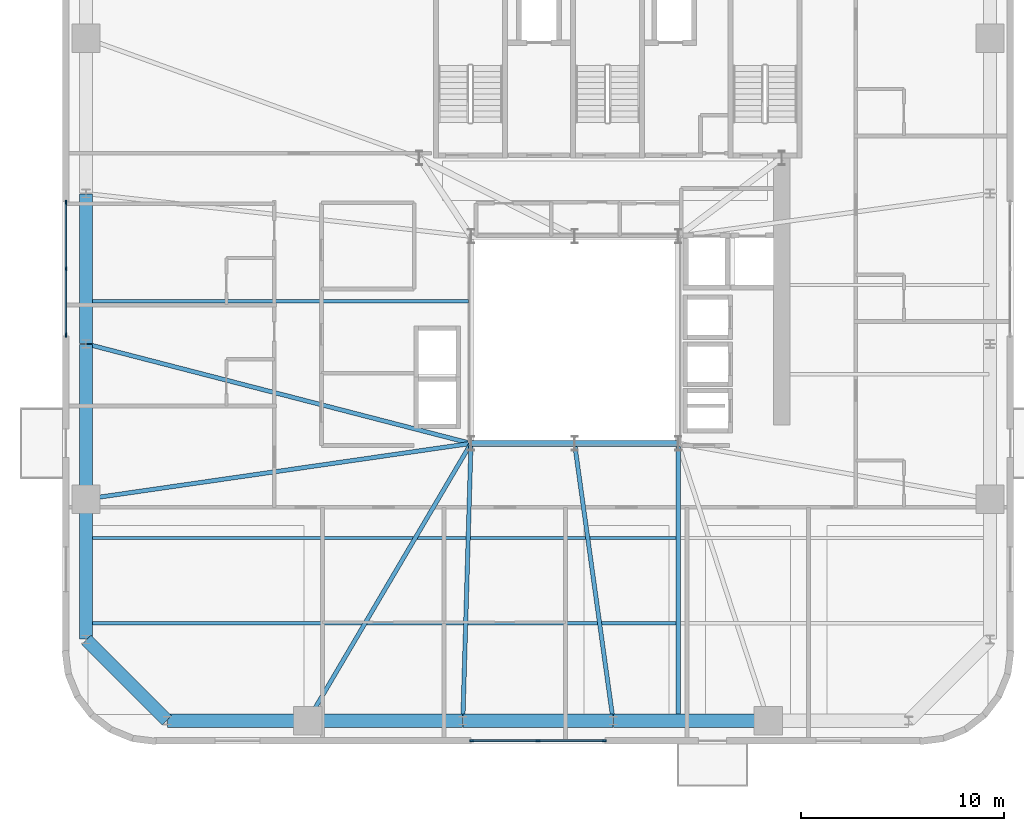
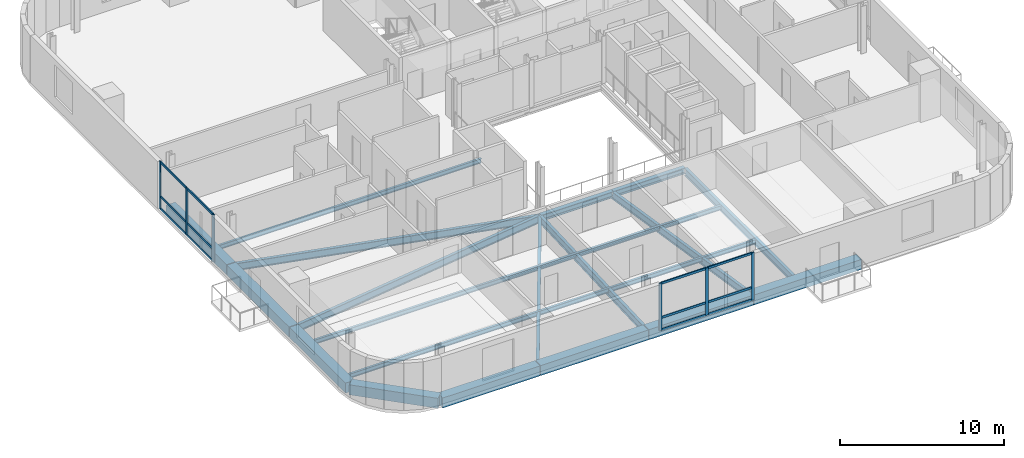
# One storey, part 3 of 15: 19 beams, 18 members, 2 elements without a shape of their own.
"""IFC4 building model written with IfcOpenShell, lengths in metres."""

from ifc_helpers import new_model, si_unit, direction, frame, origin, origin_2d, place, context, subcontext, project, spatial, rectangle, i_section, extrude, source, transform, mapped, material, material_profile, profile_set, type_object, element, aggregate, save


model = new_model("IFC4")

# Units and contexts
model_context = context("Model", 3, precision=1e-05, world=origin(), true_north=direction((0.0, 1.0)))
body_context = subcontext(model_context, "Body", "Model", "MODEL_VIEW")
ifc_project = project(units=[si_unit("LENGTHUNIT", "METRE"), si_unit("AREAUNIT", "SQUARE_METRE"), si_unit("VOLUMEUNIT", "CUBIC_METRE"), si_unit("PLANEANGLEUNIT", "RADIAN"), si_unit("MASSUNIT", "GRAM", prefix="KILO")], contexts=[model_context])

# Site, building, storey
site_placement = place(None, origin())
site = spatial("IfcSite", under=ifc_project, at=site_placement, CompositionType="ELEMENT")
building_placement = place(site_placement, origin())
building = spatial("IfcBuilding", under=site, at=building_placement, Name="Vardaveli Station Tower", CompositionType="ELEMENT")
storey_placement = place(building_placement, frame((0.0, 0.0, 207.300048828125)))
storey = spatial("IfcBuildingStorey", under=building, at=storey_placement, Name="L53", CompositionType="ELEMENT", Elevation=207.300048828125)

# Beams
ifc_material_1 = material(Name="Structural steel S355J2", Category="steel")
ifc_material_profile_1 = material_profile(ifc_material_1, i_section(OverallWidth=0.300048828125, OverallDepth=0.449951171875, WebThickness=0.013916015625, FlangeThickness=0.02587890625, FilletRadius=0.027099609375, at=origin_2d()), Name="HEB 450")
ifc_profile_set_1 = profile_set([ifc_material_profile_1], Name="Structural steel S355J2")
beam_type_1 = type_object("IfcBeamType", Name="BM-HEB450", PredefinedType="BEAM", material=ifc_profile_set_1)
shared_shape_1 = source(origin(), body_context, "Body", "SweptSolid", [
    extrude(i_section(OverallWidth=0.300048828125, OverallDepth=0.449951171875, WebThickness=0.013916015625, FlangeThickness=0.02587890625, FilletRadius=0.027099609375, at=origin_2d()), origin(), (0.0, 0.0, 1.0), 5.06005859375),
])
beam_1_placement = place(storey_placement, frame((31.219970703125, 16.60009765625, -0.445068359375), z_axis=(1.0, 0.0, 0.0), x_axis=(0.0, 1.0, 0.0)))
element("IfcBeam", 1, at=beam_1_placement, inside=storey, type_object=beam_type_1, Name="ABM-L53-01", PredefinedType="BEAM", context=body_context, shape_type="MappedRepresentation", body=[
    mapped(shared_shape_1, transform((0.0, 0.0, 0.0), scale=1.0)),
])
shared_shape_2 = source(origin(), body_context, "Body", "SweptSolid", [
    extrude(i_section(OverallWidth=0.300048828125, OverallDepth=0.449951171875, WebThickness=0.013916015625, FlangeThickness=0.02587890625, FilletRadius=0.027099609375, at=origin_2d()), origin(), (0.0, 0.0, 1.0), 5.059814453125),
])
beam_2_placement = place(storey_placement, frame((36.320068359375, 16.60009765625, -0.445068359375), z_axis=(1.0, 0.0, 0.0), x_axis=(0.0, 1.0, 0.0)))
element("IfcBeam", 2, at=beam_2_placement, inside=storey, type_object=beam_type_1, Name="ABM-L53-02", PredefinedType="BEAM", context=body_context, shape_type="MappedRepresentation", body=[
    mapped(shared_shape_2, transform((0.0, 0.0, 0.0), scale=1.0)),
])
ifc_material_2 = material(Name="Precast concrete C45/55", Category="concrete")
ifc_material_profile_2 = material_profile(ifc_material_2, rectangle(XDim=0.64990234375, YDim=0.75, at=origin_2d()), Name="LPB 650x750")
ifc_profile_set_2 = profile_set([ifc_material_profile_2], Name="Precast concrete C45/55")
beam_type_2 = type_object("IfcBeamType", Name="BM-LPB-750", PredefinedType="BEAM", material=ifc_profile_set_2)
shared_shape_3 = source(origin(), body_context, "Body", "SweptSolid", [
    extrude(rectangle(XDim=0.64990234375, YDim=0.75, at=origin_2d()), origin(), (0.0, 0.0, 1.0), 7.60009765625),
])
for number, where, z_axis, x_axis, name in (
    (3, (23.179931640625, 2.949951171875, -0.594970703125), (1.0, 0.0, 0.0), (0.0, 1.0, 0.0), "RBM-L53-01"),
    (4, (38.219970703125, 2.949951171875, -0.594970703125), (1.0, 0.0, 0.0), (0.0, 1.0, 0.0), "RBM-L53-03"),
    (5, (12.25, 21.47998046875, -0.594970703125), (0.0, -1.0, 0.0), (1.0, 0.0, 0.0), "RBM-L53-21"),
):
    element("IfcBeam", number, at=place(storey_placement, frame(where, z_axis=z_axis, x_axis=x_axis)), inside=storey, type_object=beam_type_2, Name=name, PredefinedType="BEAM", context=body_context, shape_type="MappedRepresentation", body=[
        mapped(shared_shape_3, transform((0.0, 0.0, 0.0), scale=1.0)),
    ])
shared_shape_4 = source(origin(), body_context, "Body", "SweptSolid", [
    extrude(rectangle(XDim=0.64990234375, YDim=0.75, at=origin_2d()), origin(), (0.0, 0.0, 1.0), 7.35986328125),
])
for number, where, z_axis, x_axis, name in (
    (6, (30.820068359375, 2.949951171875, -0.594970703125), (1.0, 0.0, 0.0), (0.0, 1.0, 0.0), "RBM-L53-02"),
    (7, (12.25, 28.8798828125, -0.594970703125), (0.0, -1.0, 0.0), (1.0, 0.0, 0.0), "RBM-L53-20"),
):
    element("IfcBeam", number, at=place(storey_placement, frame(where, z_axis=z_axis, x_axis=x_axis)), inside=storey, type_object=beam_type_2, Name=name, PredefinedType="BEAM", context=body_context, shape_type="MappedRepresentation", body=[
        mapped(shared_shape_4, transform((0.0, 0.0, 0.0), scale=1.0)),
    ])
shared_shape_5 = source(origin(), body_context, "Body", "SweptSolid", [
    extrude(rectangle(XDim=0.64990234375, YDim=0.75, at=origin_2d()), origin(), (0.0, 0.0, 1.0), 6.869873046875),
])
beam_3_placement = place(storey_placement, frame((16.27001953125, 2.949951171875, -0.594970703125), z_axis=(1.0, 0.0, 0.0), x_axis=(0.0, 1.0, 0.0)))
element("IfcBeam", 8, at=beam_3_placement, inside=storey, type_object=beam_type_2, Name="RBM-L53-24", PredefinedType="BEAM", context=body_context, shape_type="MappedRepresentation", body=[
    mapped(shared_shape_5, transform((0.0, 0.0, 0.0), scale=1.0)),
])
shared_shape_6 = source(origin(), body_context, "Body", "SweptSolid", [
    extrude(rectangle(XDim=0.64990234375, YDim=0.75, at=origin_2d()), origin(), (0.0, 0.0, 1.0), 5.61669921875),
])
beam_4_placement = place(storey_placement, frame((12.26416015625, 6.935791015625, -0.594970703125), z_axis=(0.707106781187, -0.707106781187, 0.0), x_axis=(0.707106781187, 0.707106781187, 0.0)))
element("IfcBeam", 9, at=beam_4_placement, inside=storey, type_object=beam_type_2, Name="RBM-L53-23", PredefinedType="BEAM", context=body_context, shape_type="MappedRepresentation", body=[
    mapped(shared_shape_6, transform((0.0, 0.0, 0.0), scale=1.0)),
])
shared_shape_7 = source(origin(), body_context, "Body", "SweptSolid", [
    extrude(rectangle(XDim=0.64990234375, YDim=0.75, at=origin_2d()), origin(), (0.0, 0.0, 1.0), 6.8701171875),
])
beam_5_placement = place(storey_placement, frame((12.25, 13.840087890625, -0.594970703125), z_axis=(0.0, -1.0, 0.0), x_axis=(1.0, 0.0, 0.0)))
element("IfcBeam", 10, at=beam_5_placement, inside=storey, type_object=beam_type_2, Name="RBM-L53-22", PredefinedType="BEAM", context=body_context, shape_type="MappedRepresentation", body=[
    mapped(shared_shape_7, transform((0.0, 0.0, 0.0), scale=1.0)),
])
ifc_material_profile_3 = material_profile(ifc_material_1, i_section(OverallWidth=0.2099609375, OverallDepth=0.550048828125, WebThickness=0.010986328125, FlangeThickness=0.01708984375, FilletRadius=0.02392578125, at=origin_2d()), Name="IPE 550")
ifc_profile_set_3 = profile_set([ifc_material_profile_3], Name="Structural steel S355J2")
beam_type_3 = type_object("IfcBeamType", Name="BM-IPE550", PredefinedType="BEAM", material=ifc_profile_set_3)
shared_shape_8 = source(origin(), body_context, "Body", "SweptSolid", [
    extrude(i_section(OverallWidth=0.2099609375, OverallDepth=0.550048828125, WebThickness=0.010986328125, FlangeThickness=0.01708984375, FilletRadius=0.02392578125, at=origin_2d()), origin(), (0.0, 0.0, 1.0), 13.469970703125),
])
beam_6_placement = place(storey_placement, frame((41.39990234375, 2.989990234375, -0.4951171875), z_axis=(0.0, 1.0, 0.0), x_axis=(-1.0, 0.0, 0.0)))
element("IfcBeam", 11, at=beam_6_placement, inside=storey, type_object=beam_type_3, Name="NSM-L53-S2", PredefinedType="BEAM", context=body_context, shape_type="MappedRepresentation", body=[
    mapped(shared_shape_8, transform((0.0, 0.0, 0.0), scale=1.0)),
])
ifc_material_profile_4 = material_profile(ifc_material_1, i_section(OverallWidth=0.159912109375, OverallDepth=0.330078125, WebThickness=0.007568359375, FlangeThickness=0.011474609375, FilletRadius=0.01806640625, at=origin_2d()), Name="IPE 330")
ifc_profile_set_4 = profile_set([ifc_material_profile_4], Name="Structural steel S355J2")
beam_type_4 = type_object("IfcBeamType", Name="BM-IPE330", PredefinedType="JOIST", material=ifc_profile_set_4)
shared_shape_9 = source(origin(), body_context, "Body", "SweptSolid", [
    extrude(i_section(OverallWidth=0.159912109375, OverallDepth=0.330078125, WebThickness=0.007568359375, FlangeThickness=0.011474609375, FilletRadius=0.01806640625, at=origin_2d()), origin(), (0.0, 0.0, 1.0), 28.998046875),
])
for number, where, z_axis, x_axis, name in (
    (12, (12.2900390625, 7.75, -0.385009765625), (1.0, 0.0, 0.0), (0.0, 1.0, 0.0), "SJ-L53-S01"),
    (13, (12.2900390625, 11.949951171875, -0.385009765625), (1.0, 0.0, 0.0), (0.0, 1.0, 0.0), "SJ-L53-S03"),
):
    element("IfcBeam", number, at=place(storey_placement, frame(where, z_axis=z_axis, x_axis=x_axis)), inside=storey, type_object=beam_type_4, Name=name, PredefinedType="JOIST", context=body_context, shape_type="MappedRepresentation", body=[
        mapped(shared_shape_9, transform((0.0, 0.0, 0.0), scale=1.0)),
    ])
shared_shape_10 = source(origin(), body_context, "Body", "SweptSolid", [
    extrude(i_section(OverallWidth=0.159912109375, OverallDepth=0.330078125, WebThickness=0.007568359375, FlangeThickness=0.011474609375, FilletRadius=0.01806640625, at=origin_2d()), origin(), (0.0, 0.0, 1.0), 18.7978515625),
])
beam_7_placement = place(storey_placement, frame((12.2900390625, 23.60009765625, -0.385009765625), z_axis=(1.0, 0.0, 0.0), x_axis=(0.0, 1.0, 0.0)))
element("IfcBeam", 14, at=beam_7_placement, inside=storey, type_object=beam_type_4, Name="SJ-L53-W06", PredefinedType="JOIST", context=body_context, shape_type="MappedRepresentation", body=[
    mapped(shared_shape_10, transform((0.0, 0.0, 0.0), scale=1.0)),
])
shared_shape_11 = source(origin(), body_context, "Body", "SweptSolid", [
    extrude(i_section(OverallWidth=0.2099609375, OverallDepth=0.550048828125, WebThickness=0.010986328125, FlangeThickness=0.01708984375, FilletRadius=0.02392578125, at=origin_2d()), origin(), (0.0, 0.0, 1.0), 15.8017578125),
])
beam_8_placement = place(storey_placement, frame((23.170166015625, 2.96728515625, -0.4951171875), z_axis=(0.507521713546, 0.86163896748, 0.0), x_axis=(-0.86163896748, 0.507521713546, 0.0)))
element("IfcBeam", 15, at=beam_8_placement, inside=storey, type_object=beam_type_3, Name="GBM-L53-01", PredefinedType="BEAM", context=body_context, shape_type="MappedRepresentation", body=[
    mapped(shared_shape_11, transform((0.0, 0.0, 0.0), scale=1.0)),
])
shared_shape_12 = source(origin(), body_context, "Body", "SweptSolid", [
    extrude(i_section(OverallWidth=0.2099609375, OverallDepth=0.550048828125, WebThickness=0.010986328125, FlangeThickness=0.01708984375, FilletRadius=0.02392578125, at=origin_2d()), origin(), (0.0, 0.0, 1.0), 13.615966796875),
])
beam_9_placement = place(storey_placement, frame((30.800537109375, 2.969970703125, -0.4951171875), z_axis=(0.029298411379, 0.9995707094, 0.0), x_axis=(-0.9995707094, 0.029298411379, 0.0)))
element("IfcBeam", 16, at=beam_9_placement, inside=storey, type_object=beam_type_3, Name="GBM-L53-02", PredefinedType="BEAM", context=body_context, shape_type="MappedRepresentation", body=[
    mapped(shared_shape_12, transform((0.0, 0.0, 0.0), scale=1.0)),
])
shared_shape_13 = source(origin(), body_context, "Body", "SweptSolid", [
    extrude(i_section(OverallWidth=0.2099609375, OverallDepth=0.550048828125, WebThickness=0.010986328125, FlangeThickness=0.01708984375, FilletRadius=0.02392578125, at=origin_2d()), origin(), (0.0, 0.0, 1.0), 13.741455078125),
])
beam_10_placement = place(storey_placement, frame((38.197265625, 2.9697265625, -0.4951171875), z_axis=(-0.137868554024, 0.990450534762, 0.0), x_axis=(-0.990450534762, -0.137868554024, 0.0)))
element("IfcBeam", 17, at=beam_10_placement, inside=storey, type_object=beam_type_3, Name="GBM-L53-03", PredefinedType="BEAM", context=body_context, shape_type="MappedRepresentation", body=[
    mapped(shared_shape_13, transform((0.0, 0.0, 0.0), scale=1.0)),
])
shared_shape_14 = source(origin(), body_context, "Body", "SweptSolid", [
    extrude(i_section(OverallWidth=0.2099609375, OverallDepth=0.550048828125, WebThickness=0.010986328125, FlangeThickness=0.01708984375, FilletRadius=0.02392578125, at=origin_2d()), origin(), (0.0, 0.0, 1.0), 19.533447265625),
])
beam_11_placement = place(storey_placement, frame((12.269287109375, 21.494873046875, -0.4951171875), z_axis=(0.968159081778, -0.250335759272, 0.0), x_axis=(0.250335759272, 0.968159081778, 0.0)))
element("IfcBeam", 18, at=beam_11_placement, inside=storey, type_object=beam_type_3, Name="GBM-L53-09", PredefinedType="BEAM", context=body_context, shape_type="MappedRepresentation", body=[
    mapped(shared_shape_14, transform((0.0, 0.0, 0.0), scale=1.0)),
])
shared_shape_15 = source(origin(), body_context, "Body", "SweptSolid", [
    extrude(i_section(OverallWidth=0.2099609375, OverallDepth=0.550048828125, WebThickness=0.010986328125, FlangeThickness=0.01708984375, FilletRadius=0.02392578125, at=origin_2d()), origin(), (0.0, 0.0, 1.0), 19.107177734375),
])
beam_12_placement = place(storey_placement, frame((12.269775390625, 13.86279296875, -0.4951171875), z_axis=(0.989707072711, 0.143108036903, 0.0), x_axis=(-0.143108036903, 0.989707072711, 0.0)))
element("IfcBeam", 19, at=beam_12_placement, inside=storey, type_object=beam_type_3, Name="GBM-L53-10", PredefinedType="BEAM", context=body_context, shape_type="MappedRepresentation", body=[
    mapped(shared_shape_15, transform((0.0, 0.0, 0.0), scale=1.0)),
])

# Curtain wall, members
ifc_material_3 = material(Name="Travertine stone and solar-control glass", Category="masonry")
curtain_wall_type = type_object("IfcCurtainWallType", Name="CW-SYS-5", PredefinedType="NOTDEFINED", material=ifc_material_3)
curtain_wall_1_placement = place(storey_placement, origin())
curtain_wall_1 = element("IfcCurtainWall", 20, at=curtain_wall_1_placement, inside=storey, type_object=curtain_wall_type, Name="CW-L53-S", PredefinedType="NOTDEFINED")
ifc_material_4 = material(Name="Anodised aluminium alloy 6063-T6", Category="aluminium")
ifc_material_profile_5 = material_profile(ifc_material_4, rectangle(XDim=0.080078125, YDim=0.1650390625, at=origin_2d()), Name="CWT 80x165")
ifc_profile_set_5 = profile_set([ifc_material_profile_5], Name="Anodised aluminium alloy 6063-T6")
member_type_1 = type_object("IfcMemberType", Name="CW-SYS-5-TRAN", PredefinedType="NOTDEFINED", material=ifc_profile_set_5)
shared_shape_16 = source(origin(), body_context, "Body", "SweptSolid", [
    extrude(rectangle(XDim=0.080078125, YDim=0.1650390625, at=origin_2d()), origin(), (0.0, 0.0, 1.0), 3.179931640625),
])
member_1_placement = place(storey_placement, frame((31.280029296875, 1.9599609375, 0.0400390625), z_axis=(1.0, 0.0, 0.0), x_axis=(0.0, 1.0, 0.0)))
member_1 = element("IfcMember", 21, at=member_1_placement, type_object=member_type_1, Name="CW-5 transom 1.1", ObjectType="TRANSOM", PredefinedType="USERDEFINED", context=body_context, shape_type="MappedRepresentation", body=[
    mapped(shared_shape_16, transform((0.0, 0.0, 0.0), scale=1.0)),
])
member_2_placement = place(storey_placement, frame((31.280029296875, 1.9599609375, 0.949951171875), z_axis=(1.0, 0.0, 0.0), x_axis=(0.0, 1.0, 0.0)))
member_2 = element("IfcMember", 22, at=member_2_placement, type_object=member_type_1, Name="CW-5 transom 1.2", ObjectType="TRANSOM", PredefinedType="USERDEFINED", context=body_context, shape_type="MappedRepresentation", body=[
    mapped(shared_shape_16, transform((0.0, 0.0, 0.0), scale=1.0)),
])
member_3_placement = place(storey_placement, frame((31.280029296875, 1.9599609375, 3.489990234375), z_axis=(1.0, 0.0, 0.0), x_axis=(0.0, 1.0, 0.0)))
member_3 = element("IfcMember", 23, at=member_3_placement, type_object=member_type_1, Name="CW-5 transom 1.3", ObjectType="TRANSOM", PredefinedType="USERDEFINED", context=body_context, shape_type="MappedRepresentation", body=[
    mapped(shared_shape_16, transform((0.0, 0.0, 0.0), scale=1.0)),
])
member_4_placement = place(storey_placement, frame((34.5400390625, 1.9599609375, 0.0400390625), z_axis=(1.0, 0.0, 0.0), x_axis=(0.0, 1.0, 0.0)))
member_4 = element("IfcMember", 24, at=member_4_placement, type_object=member_type_1, Name="CW-5 transom 2.1", ObjectType="TRANSOM", PredefinedType="USERDEFINED", context=body_context, shape_type="MappedRepresentation", body=[
    mapped(shared_shape_16, transform((0.0, 0.0, 0.0), scale=1.0)),
])
member_5_placement = place(storey_placement, frame((34.5400390625, 1.9599609375, 0.949951171875), z_axis=(1.0, 0.0, 0.0), x_axis=(0.0, 1.0, 0.0)))
member_5 = element("IfcMember", 25, at=member_5_placement, type_object=member_type_1, Name="CW-5 transom 2.2", ObjectType="TRANSOM", PredefinedType="USERDEFINED", context=body_context, shape_type="MappedRepresentation", body=[
    mapped(shared_shape_16, transform((0.0, 0.0, 0.0), scale=1.0)),
])
member_6_placement = place(storey_placement, frame((34.5400390625, 1.9599609375, 3.489990234375), z_axis=(1.0, 0.0, 0.0), x_axis=(0.0, 1.0, 0.0)))
member_6 = element("IfcMember", 26, at=member_6_placement, type_object=member_type_1, Name="CW-5 transom 2.3", ObjectType="TRANSOM", PredefinedType="USERDEFINED", context=body_context, shape_type="MappedRepresentation", body=[
    mapped(shared_shape_16, transform((0.0, 0.0, 0.0), scale=1.0)),
])

curtain_wall_2_placement = place(storey_placement, origin())
curtain_wall_2 = element("IfcCurtainWall", 27, at=curtain_wall_2_placement, inside=storey, type_object=curtain_wall_type, Name="CW-L53-W", PredefinedType="NOTDEFINED")
member_7_placement = place(storey_placement, frame((11.260009765625, 28.419921875, 0.0400390625), z_axis=(0.0, -1.0, 0.0), x_axis=(1.0, 0.0, 0.0)))
member_7 = element("IfcMember", 28, at=member_7_placement, type_object=member_type_1, Name="CW-5 transom 1.1", ObjectType="TRANSOM", PredefinedType="USERDEFINED", context=body_context, shape_type="MappedRepresentation", body=[
    mapped(shared_shape_16, transform((0.0, 0.0, 0.0), scale=1.0)),
])
member_8_placement = place(storey_placement, frame((11.260009765625, 28.419921875, 0.949951171875), z_axis=(0.0, -1.0, 0.0), x_axis=(1.0, 0.0, 0.0)))
member_8 = element("IfcMember", 29, at=member_8_placement, type_object=member_type_1, Name="CW-5 transom 1.2", ObjectType="TRANSOM", PredefinedType="USERDEFINED", context=body_context, shape_type="MappedRepresentation", body=[
    mapped(shared_shape_16, transform((0.0, 0.0, 0.0), scale=1.0)),
])
member_9_placement = place(storey_placement, frame((11.260009765625, 28.419921875, 3.489990234375), z_axis=(0.0, -1.0, 0.0), x_axis=(1.0, 0.0, 0.0)))
member_9 = element("IfcMember", 30, at=member_9_placement, type_object=member_type_1, Name="CW-5 transom 1.3", ObjectType="TRANSOM", PredefinedType="USERDEFINED", context=body_context, shape_type="MappedRepresentation", body=[
    mapped(shared_shape_16, transform((0.0, 0.0, 0.0), scale=1.0)),
])
member_10_placement = place(storey_placement, frame((11.260009765625, 25.159912109375, 0.0400390625), z_axis=(0.0, -1.0, 0.0), x_axis=(1.0, 0.0, 0.0)))
member_10 = element("IfcMember", 31, at=member_10_placement, type_object=member_type_1, Name="CW-5 transom 2.1", ObjectType="TRANSOM", PredefinedType="USERDEFINED", context=body_context, shape_type="MappedRepresentation", body=[
    mapped(shared_shape_16, transform((0.0, 0.0, 0.0), scale=1.0)),
])
member_11_placement = place(storey_placement, frame((11.260009765625, 25.159912109375, 0.949951171875), z_axis=(0.0, -1.0, 0.0), x_axis=(1.0, 0.0, 0.0)))
member_11 = element("IfcMember", 32, at=member_11_placement, type_object=member_type_1, Name="CW-5 transom 2.2", ObjectType="TRANSOM", PredefinedType="USERDEFINED", context=body_context, shape_type="MappedRepresentation", body=[
    mapped(shared_shape_16, transform((0.0, 0.0, 0.0), scale=1.0)),
])
member_12_placement = place(storey_placement, frame((11.260009765625, 25.159912109375, 3.489990234375), z_axis=(0.0, -1.0, 0.0), x_axis=(1.0, 0.0, 0.0)))
member_12 = element("IfcMember", 33, at=member_12_placement, type_object=member_type_1, Name="CW-5 transom 2.3", ObjectType="TRANSOM", PredefinedType="USERDEFINED", context=body_context, shape_type="MappedRepresentation", body=[
    mapped(shared_shape_16, transform((0.0, 0.0, 0.0), scale=1.0)),
])

# Member
ifc_material_profile_6 = material_profile(ifc_material_4, rectangle(XDim=0.080078125, YDim=0.205078125, at=origin_2d()), Name="CWM 80x205")
ifc_profile_set_6 = profile_set([ifc_material_profile_6], Name="Anodised aluminium alloy 6063-T6")
member_type_2 = type_object("IfcMemberType", Name="CW-SYS-5-MULL", PredefinedType="MULLION", material=ifc_profile_set_6)
shared_shape_17 = source(origin(), body_context, "Body", "SweptSolid", [
    extrude(rectangle(XDim=0.080078125, YDim=0.205078125, at=origin_2d()), origin(), (0.0, 0.0, 1.0), 3.530029296875),
])
member_13_placement = place(storey_placement, frame((31.239990234375, 1.9599609375, 0.0), z_axis=(0.0, 0.0, 1.0), x_axis=(0.0, 1.0, 0.0)))
member_13 = element("IfcMember", 34, at=member_13_placement, type_object=member_type_2, Name="CW-5 mullion 1", PredefinedType="MULLION", context=body_context, shape_type="MappedRepresentation", body=[
    mapped(shared_shape_17, transform((0.0, 0.0, 0.0), scale=1.0)),
])

member_14_placement = place(storey_placement, frame((34.5, 1.9599609375, 0.0), z_axis=(0.0, 0.0, 1.0), x_axis=(0.0, 1.0, 0.0)))
member_14 = element("IfcMember", 35, at=member_14_placement, type_object=member_type_2, Name="CW-5 mullion 2", PredefinedType="MULLION", context=body_context, shape_type="MappedRepresentation", body=[
    mapped(shared_shape_17, transform((0.0, 0.0, 0.0), scale=1.0)),
])

member_15_placement = place(storey_placement, frame((37.760009765625, 1.9599609375, 0.0), z_axis=(0.0, 0.0, 1.0), x_axis=(0.0, 1.0, 0.0)))
member_15 = element("IfcMember", 36, at=member_15_placement, type_object=member_type_2, Name="CW-5 mullion 3", PredefinedType="MULLION", context=body_context, shape_type="MappedRepresentation", body=[
    mapped(shared_shape_17, transform((0.0, 0.0, 0.0), scale=1.0)),
])

aggregate(curtain_wall_1, [member_13, member_14, member_15, member_1, member_2, member_3, member_4, member_5, member_6])

member_16_placement = place(storey_placement, frame((11.260009765625, 28.4599609375, 0.0), z_axis=(0.0, 0.0, 1.0), x_axis=(1.0, 0.0, 0.0)))
member_16 = element("IfcMember", 37, at=member_16_placement, type_object=member_type_2, Name="CW-5 mullion 1", PredefinedType="MULLION", context=body_context, shape_type="MappedRepresentation", body=[
    mapped(shared_shape_17, transform((0.0, 0.0, 0.0), scale=1.0)),
])

member_17_placement = place(storey_placement, frame((11.260009765625, 25.199951171875, 0.0), z_axis=(0.0, 0.0, 1.0), x_axis=(1.0, 0.0, 0.0)))
member_17 = element("IfcMember", 38, at=member_17_placement, type_object=member_type_2, Name="CW-5 mullion 2", PredefinedType="MULLION", context=body_context, shape_type="MappedRepresentation", body=[
    mapped(shared_shape_17, transform((0.0, 0.0, 0.0), scale=1.0)),
])

member_18_placement = place(storey_placement, frame((11.260009765625, 21.93994140625, 0.0), z_axis=(0.0, 0.0, 1.0), x_axis=(1.0, 0.0, 0.0)))
member_18 = element("IfcMember", 39, at=member_18_placement, type_object=member_type_2, Name="CW-5 mullion 3", PredefinedType="MULLION", context=body_context, shape_type="MappedRepresentation", body=[
    mapped(shared_shape_17, transform((0.0, 0.0, 0.0), scale=1.0)),
])

aggregate(curtain_wall_2, [member_16, member_17, member_18, member_7, member_8, member_9, member_10, member_11, member_12])

save(model, "model.ifc")
